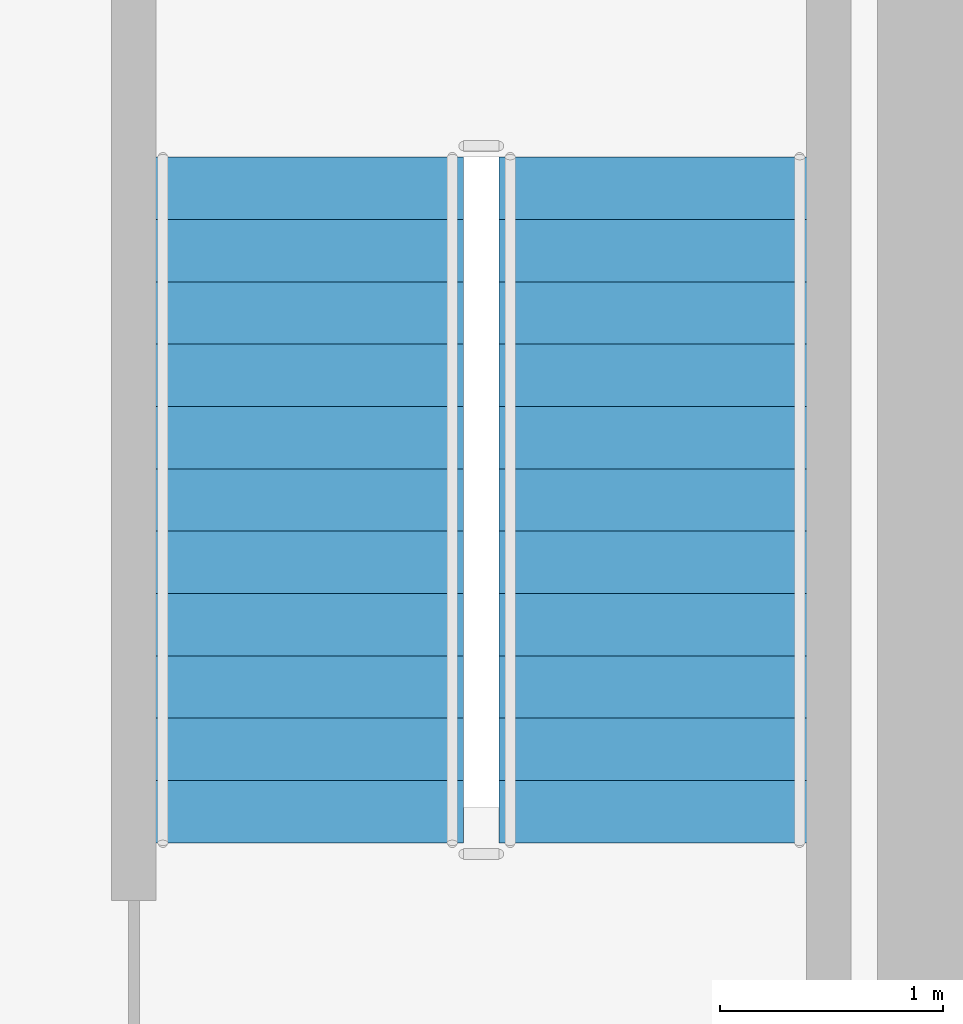
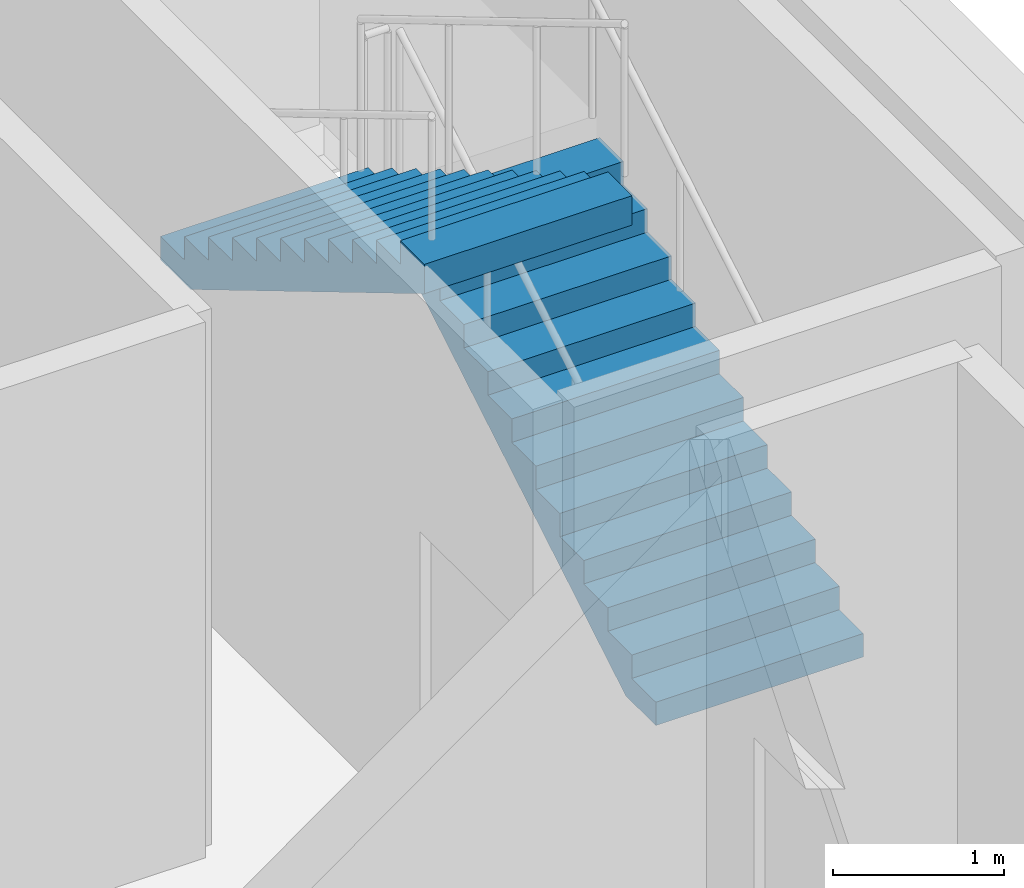
# One storey, part 7 of 9: 2 stair flights, 1 element without a shape of its own.
"""IFC4 building model written with IfcOpenShell, lengths in metres."""

from ifc_helpers import new_model, si_unit, direction, frame, origin, place, context, subcontext, project, spatial, polyline, outline, extrude, material, type_object, element, aggregate, save


model = new_model("IFC4")

# Units and contexts
model_context = context("Model", 3, precision=1e-05, world=origin(), true_north=direction((0.0, 1.0)))
body_context = subcontext(model_context, "Body", "Model", "MODEL_VIEW")
ifc_project = project(units=[si_unit("LENGTHUNIT", "METRE"), si_unit("AREAUNIT", "SQUARE_METRE"), si_unit("VOLUMEUNIT", "CUBIC_METRE"), si_unit("PLANEANGLEUNIT", "RADIAN"), si_unit("MASSUNIT", "GRAM", prefix="KILO")], contexts=[model_context])

# Site, building, storey
site_placement = place(None, origin())
site = spatial("IfcSite", under=ifc_project, at=site_placement, CompositionType="ELEMENT")
building_placement = place(site_placement, origin())
building = spatial("IfcBuilding", under=site, at=building_placement, Name="Kuzgunbayir Cultural Tower", CompositionType="ELEMENT")
storey_placement = place(building_placement, frame((0.0, 0.0, 79.39990234375)))
storey = spatial("IfcBuildingStorey", under=building, at=storey_placement, Name="L22", CompositionType="ELEMENT", Elevation=79.39990234375)

# Stair, stair flights
ifc_material = material(Name="Concrete C40/50", Category="concrete")
stair_type = type_object("IfcStairType", Name="STR-EXIT-CORE", PredefinedType="HALF_TURN_STAIR", material=ifc_material)
stair_placement = place(storey_placement, origin())
stair = element("IfcStair", 1, at=stair_placement, inside=storey, type_object=stair_type, Name="L22 ST-4", PredefinedType="HALF_TURN_STAIR")
stair_flight_type = type_object("IfcStairFlightType", Name="STRF-RC-140", PredefinedType="STRAIGHT", material=ifc_material)
stair_flight_1_placement = place(storey_placement, frame((71.10009765625, 35.5, 0.0), z_axis=(0.0, 0.0, 1.0), x_axis=(0.0, 1.0, 0.0)))
stair_flight_1 = element("IfcStairFlight", 2, at=stair_flight_1_placement, type_object=stair_flight_type, Name="ST-4 flight 1", NumberOfRisers=12, NumberOfTreads=11, PredefinedType="STRAIGHT", RiserHeight=0.166666667, TreadLength=0.28, context=body_context, shape_type="SweptSolid", body=[
    extrude(outline(polyline([(0.0, 0.0), (0.0, 0.166748046875), (0.280029296875, 0.166748046875), (0.280029296875, 0.333251953125), (0.56005859375, 0.333251953125), (0.56005859375, 0.5), (0.840087890625, 0.5), (0.840087890625, 0.666748046875), (1.1201171875, 0.666748046875), (1.1201171875, 0.833251953125), (1.39990234375, 0.833251953125), (1.39990234375, 1.0), (1.679931640625, 1.0), (1.679931640625, 1.166748046875), (1.9599609375, 1.166748046875), (1.9599609375, 1.333251953125), (2.239990234375, 1.333251953125), (2.239990234375, 1.5), (2.52001953125, 1.5), (2.52001953125, 1.666748046875), (2.800048828125, 1.666748046875), (2.800048828125, 1.833251953125), (3.080078125, 1.833251953125), (3.080078125, 2.0), (3.080078125, 1.6240234375), (0.351806640625, 0.0), (0.0, 0.0)])), frame((0.0, 0.699951171875, 0.0), z_axis=(0.0, -1.0, 0.0), x_axis=(1.0, 0.0, 0.0)), (0.0, 0.0, 1.0), 1.39990234375),
])
stair_flight_2_placement = place(storey_placement, frame((69.5400390625, 38.580078125, 2.0), z_axis=(0.0, 0.0, 1.0), x_axis=(0.0, -1.0, 0.0)))
stair_flight_2 = element("IfcStairFlight", 3, at=stair_flight_2_placement, type_object=stair_flight_type, Name="ST-4 flight 2", NumberOfRisers=12, NumberOfTreads=11, PredefinedType="STRAIGHT", RiserHeight=0.166666667, TreadLength=0.28, context=body_context, shape_type="SweptSolid", body=[
    extrude(outline(polyline([(0.0, 0.0), (0.0, 0.166748046875), (0.280029296875, 0.166748046875), (0.280029296875, 0.333251953125), (0.56005859375, 0.333251953125), (0.56005859375, 0.5), (0.840087890625, 0.5), (0.840087890625, 0.666748046875), (1.1201171875, 0.666748046875), (1.1201171875, 0.833251953125), (1.39990234375, 0.833251953125), (1.39990234375, 1.0), (1.679931640625, 1.0), (1.679931640625, 1.166748046875), (1.9599609375, 1.166748046875), (1.9599609375, 1.333251953125), (2.239990234375, 1.333251953125), (2.239990234375, 1.5), (2.52001953125, 1.5), (2.52001953125, 1.666748046875), (2.800048828125, 1.666748046875), (2.800048828125, 1.833251953125), (3.080078125, 1.833251953125), (3.080078125, 2.0), (3.080078125, 1.6240234375), (0.351806640625, 0.0), (0.0, 0.0)])), frame((0.0, 0.699951171875, 0.0), z_axis=(0.0, -1.0, 0.0), x_axis=(1.0, 0.0, 0.0)), (0.0, 0.0, 1.0), 1.39990234375),
])
aggregate(stair, [stair_flight_1, stair_flight_2])

save(model, "model.ifc")
